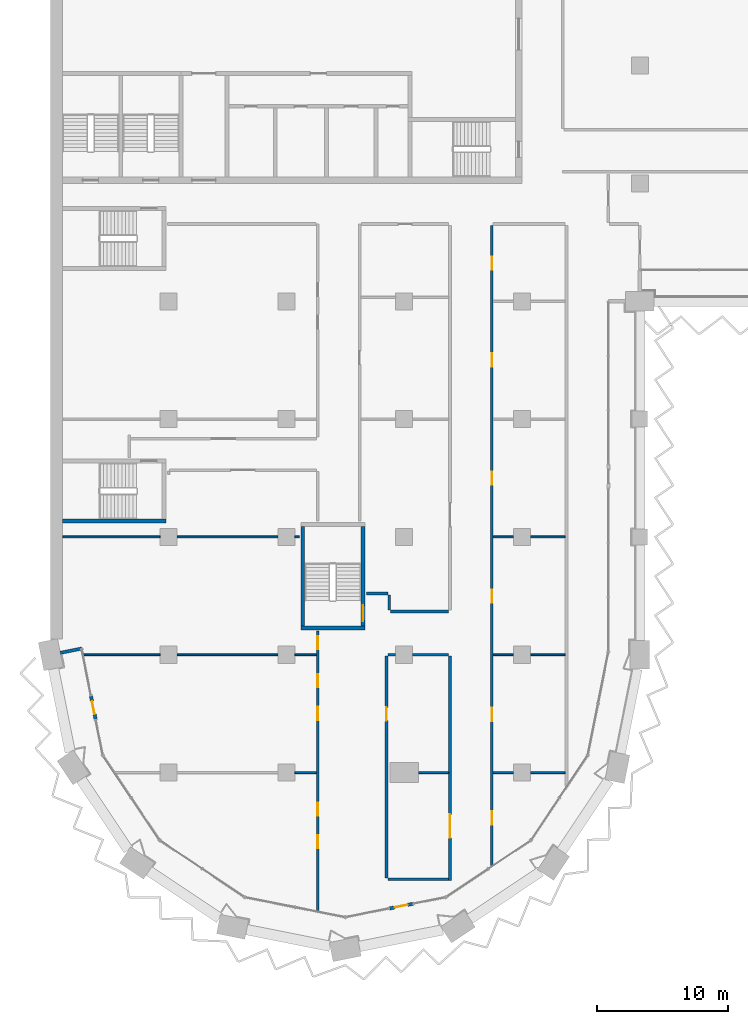
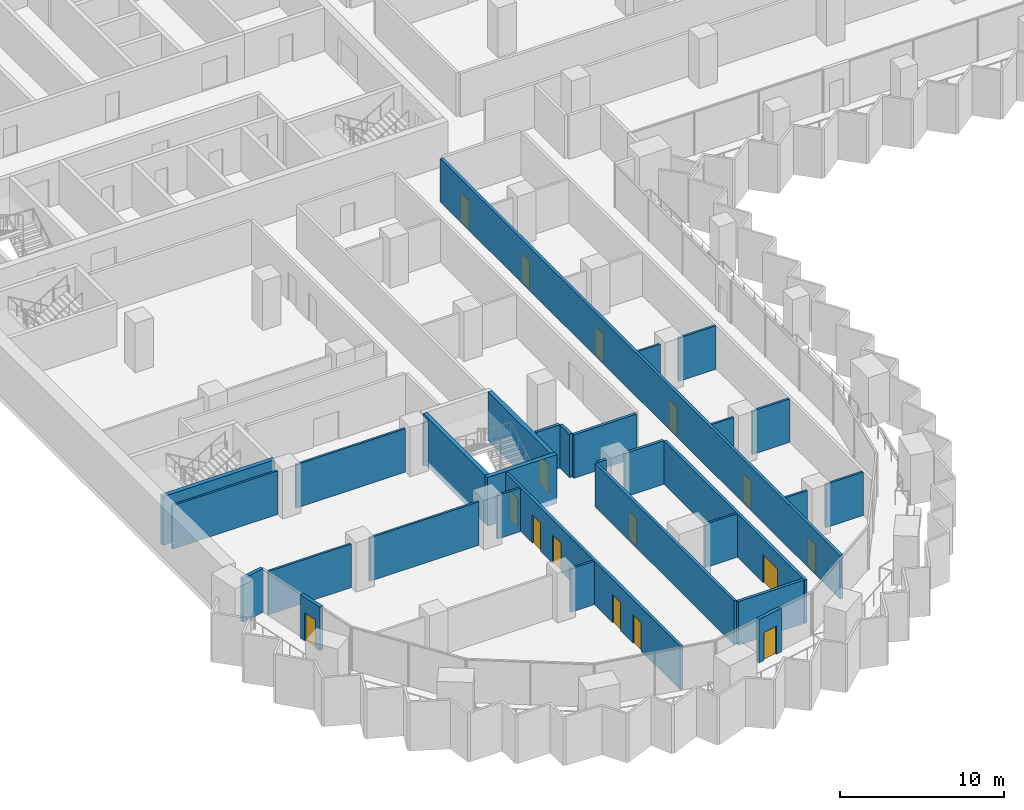
# One storey, part 9 of 23: 31 walls, 16 doors, 16 openings.
"""IFC4 building model written with IfcOpenShell, lengths in metres."""

from ifc_helpers import new_model, si_unit, direction, frame, frame_2d, origin, place, context, subcontext, project, spatial, rectangle, extrude, material, layer, layer_set, type_object, element, fill, save


model = new_model("IFC4")

# Units and contexts
model_context = context("Model", 3, precision=1e-05, world=origin(), true_north=direction((0.0, 1.0)))
body_context = subcontext(model_context, "Body", "Model", "MODEL_VIEW")
ifc_project = project(units=[si_unit("LENGTHUNIT", "METRE"), si_unit("AREAUNIT", "SQUARE_METRE"), si_unit("VOLUMEUNIT", "CUBIC_METRE"), si_unit("PLANEANGLEUNIT", "RADIAN"), si_unit("MASSUNIT", "GRAM", prefix="KILO")], contexts=[model_context])

# Site, building, storey
site_placement = place(None, origin())
site = spatial("IfcSite", under=ifc_project, at=site_placement, CompositionType="ELEMENT")
building_placement = place(site_placement, origin())
building = spatial("IfcBuilding", under=site, at=building_placement, Name="Hunhe Ridgeline Campus", CompositionType="ELEMENT")
storey_placement = place(building_placement, frame((0.0, 0.0, 125.5)))
storey = spatial("IfcBuildingStorey", under=building, at=storey_placement, Name="L31", CompositionType="ELEMENT", Elevation=125.5)

# Walls
ifc_material_1 = material(Name="Concrete C30", Category="concrete")
ifc_layer_1 = layer(ifc_material_1, 0.25)
ifc_layer_set_1 = layer_set([ifc_layer_1], Name="Corner return wall 250 Concrete C30")
wall_type_1 = type_object("IfcWallType", Name="Corner return wall 250 Concrete C30", PredefinedType="SOLIDWALL", material=ifc_layer_set_1)
wall_1_placement = place(storey_placement, frame((0.7353515625, 27.14697265625, 0.0), z_axis=(0.0, 0.0, 1.0), x_axis=(0.980824468215, 0.194893208067, 0.0)))
element("IfcWall", 1, at=wall_1_placement, inside=storey, type_object=wall_type_1, Name="Corner return wall 1", PredefinedType="SOLIDWALL", context=body_context, shape_type="SweptSolid", body=[
    extrude(rectangle(XDim=1.651123046875, YDim=0.25, at=frame_2d((0.82568359375, 0.0))), origin(), (0.0, 0.0, 1.0), 3.25),
])
ifc_material_2 = material(Name="Gypsum board partition")
ifc_layer_2 = layer(ifc_material_2, 0.199951171875)
ifc_layer_set_2 = layer_set([ifc_layer_2], Name="Corridor partition 200 gypsum board on steel studs")
wall_type_2 = type_object("IfcWallType", Name="Corridor partition 200 gypsum board on steel studs", PredefinedType="PARTITIONING", material=ifc_layer_set_2)
wall_2_placement = place(storey_placement, frame((25.75, 9.860107421875, 0.0), z_axis=(0.0, 0.0, 1.0), x_axis=(1.0, 0.0, 0.0)))
element("IfcWall", 2, at=wall_2_placement, inside=storey, type_object=wall_type_2, Name="F-L31-wall-001", PredefinedType="PARTITIONING", context=body_context, shape_type="SweptSolid", body=[
    extrude(rectangle(XDim=4.64990234375, YDim=0.199951171875, at=frame_2d((2.324951171875, 0.0))), origin(), (0.0, 0.0, 1.0), 3.25),
])
wall_3_placement = place(storey_placement, frame((26.35009765625, 27.0, 0.0), z_axis=(0.0, 0.0, 1.0), x_axis=(-1.0, 0.0, 0.0)))
element("IfcWall", 3, at=wall_3_placement, inside=storey, type_object=wall_type_2, Name="F-L31-wall-008", PredefinedType="PARTITIONING", context=body_context, shape_type="SweptSolid", body=[
    extrude(rectangle(XDim=0.60009765625, YDim=0.199951171875, at=frame_2d((0.300048828125, 0.0))), origin(), (0.0, 0.0, 1.0), 3.25),
])
wall_4_placement = place(storey_placement, frame((30.39990234375, 27.0, 0.0), z_axis=(0.0, 0.0, 1.0), x_axis=(-1.0, 0.0, 0.0)))
element("IfcWall", 4, at=wall_4_placement, inside=storey, type_object=wall_type_2, Name="F-L31-wall-009", PredefinedType="PARTITIONING", context=body_context, shape_type="SweptSolid", body=[
    extrude(rectangle(XDim=2.75, YDim=0.199951171875, at=frame_2d((1.375, 0.0))), origin(), (0.0, 0.0, 1.0), 3.25),
])
wall_5_placement = place(storey_placement, frame((25.949951171875, 30.299072265625, 0.0), z_axis=(0.0, 0.0, 1.0), x_axis=(1.0, 0.0, 0.0)))
element("IfcWall", 5, at=wall_5_placement, inside=storey, type_object=wall_type_2, Name="F-L31-wall-015", PredefinedType="PARTITIONING", context=body_context, shape_type="SweptSolid", body=[
    extrude(rectangle(XDim=4.449951171875, YDim=0.199951171875, at=frame_2d((2.22509765625, 0.0))), origin(), (0.0, 0.0, 1.0), 3.25),
])
wall_6_placement = place(storey_placement, frame((24.10400390625, 31.675048828125, 0.0), z_axis=(0.0, 0.0, 1.0), x_axis=(1.0, 0.0, 0.0)))
element("IfcWall", 6, at=wall_6_placement, inside=storey, type_object=wall_type_2, Name="F-L31-wall-016", PredefinedType="PARTITIONING", context=body_context, shape_type="SweptSolid", body=[
    extrude(rectangle(XDim=1.64599609375, YDim=0.199951171875, at=frame_2d((0.822998046875, 0.0))), origin(), (0.0, 0.0, 1.0), 3.25),
])

# Wall, openings, doors
wall_7_placement = place(storey_placement, frame((20.39990234375, 7.4208984375, 0.0), z_axis=(0.0, 0.0, 1.0), x_axis=(0.0, 1.0, 0.0)))
wall_7 = element("IfcWall", 7, at=wall_7_placement, inside=storey, type_object=wall_type_2, Name="F-L31-wall-055", PredefinedType="PARTITIONING", context=body_context, shape_type="SweptSolid", body=[
    extrude(rectangle(XDim=21.375, YDim=0.199951171875, at=frame_2d((10.6875, 0.0))), origin(), (0.0, 0.0, 1.0), 3.25),
])
opening_1_placement = place(wall_7_placement, frame((4.781005859375, 0.0, 0.0)))
opening_1 = element("IfcOpeningElement", 8, at=opening_1_placement, cuts=wall_7, Name="Opening RD1-001", PredefinedType="OPENING", context=body_context, shape_type="SweptSolid", body=[
    extrude(rectangle(XDim=1.0, YDim=2.10009765625, at=frame_2d((0.5, 1.050048828125))), frame((0.0, 0.10009765625, 0.0), z_axis=(0.0, -1.0, 0.0), x_axis=(1.0, 0.0, 0.0)), (0.0, 0.0, 1.0), 0.199951171875),
])
opening_2_placement = place(wall_7_placement, frame((7.281005859375, 0.0, 0.0)))
opening_2 = element("IfcOpeningElement", 9, at=opening_2_placement, cuts=wall_7, Name="Opening RD1-004", PredefinedType="OPENING", context=body_context, shape_type="SweptSolid", body=[
    extrude(rectangle(XDim=1.0, YDim=2.10009765625, at=frame_2d((0.5, 1.050048828125))), frame((0.0, 0.10009765625, 0.0), z_axis=(0.0, -1.0, 0.0), x_axis=(1.0, 0.0, 0.0)), (0.0, 0.0, 1.0), 0.199951171875),
])
opening_3_placement = place(wall_7_placement, frame((14.58837890625, 0.0, 0.0)))
opening_3 = element("IfcOpeningElement", 10, at=opening_3_placement, cuts=wall_7, Name="Opening RD1-006", PredefinedType="OPENING", context=body_context, shape_type="SweptSolid", body=[
    extrude(rectangle(XDim=1.0, YDim=2.10009765625, at=frame_2d((0.5, 1.050048828125))), frame((0.0, 0.10009765625, 0.0), z_axis=(0.0, -1.0, 0.0), x_axis=(1.0, 0.0, 0.0)), (0.0, 0.0, 1.0), 0.199951171875),
])
opening_4_placement = place(wall_7_placement, frame((17.08837890625, 0.0, 0.0)))
opening_4 = element("IfcOpeningElement", 11, at=opening_4_placement, cuts=wall_7, Name="Opening RD1-008", PredefinedType="OPENING", context=body_context, shape_type="SweptSolid", body=[
    extrude(rectangle(XDim=1.0, YDim=2.10009765625, at=frame_2d((0.5, 1.050048828125))), frame((0.0, 0.10009765625, 0.0), z_axis=(0.0, -1.0, 0.0), x_axis=(1.0, 0.0, 0.0)), (0.0, 0.0, 1.0), 0.199951171875),
])
opening_5_placement = place(wall_7_placement, frame((19.9951171875, 0.0, 0.0)))
opening_5 = element("IfcOpeningElement", 12, at=opening_5_placement, cuts=wall_7, Name="Opening RD1-009", PredefinedType="OPENING", context=body_context, shape_type="SweptSolid", body=[
    extrude(rectangle(XDim=1.0, YDim=2.10009765625, at=frame_2d((0.5, 1.050048828125))), frame((0.0, 0.10009765625, 0.0), z_axis=(0.0, -1.0, 0.0), x_axis=(1.0, 0.0, 0.0)), (0.0, 0.0, 1.0), 0.199951171875),
])
ifc_material_3 = material(Name="Timber door leaf", Category="wood")
door_type_1 = type_object("IfcDoorType", Name="Single fire door 1000x2100 timber FD60", OperationType="NOTDEFINED", PredefinedType="DOOR", material=ifc_material_3)
door_1_placement = place(opening_1_placement, frame((1.0, 0.0, 0.0), z_axis=(0.0, 0.0, 1.0), x_axis=(-1.0, 0.0, 0.0)))
door_1 = element("IfcDoor", 13, at=door_1_placement, inside=storey, type_object=door_type_1, Name="F-L31-door-001", OperationType="SINGLE_SWING_LEFT", OverallHeight=2.10009765625, OverallWidth=1.0, PredefinedType="DOOR", context=body_context, shape_type="SweptSolid", body=[
    extrude(rectangle(XDim=1.0, YDim=2.10009765625, at=frame_2d((0.5, 1.050048828125))), frame((0.0, 0.02490234375, 0.0), z_axis=(0.0, -1.0, 0.0), x_axis=(1.0, 0.0, 0.0)), (0.0, 0.0, 1.0), 0.050048828125),
])
fill(opening_1, door_1)
door_2_placement = place(opening_2_placement, frame((1.0, 0.0, 0.0), z_axis=(0.0, 0.0, 1.0), x_axis=(-1.0, 0.0, 0.0)))
door_2 = element("IfcDoor", 14, at=door_2_placement, inside=storey, type_object=door_type_1, Name="F-L31-door-004", OperationType="SINGLE_SWING_LEFT", OverallHeight=2.10009765625, OverallWidth=1.0, PredefinedType="DOOR", context=body_context, shape_type="SweptSolid", body=[
    extrude(rectangle(XDim=1.0, YDim=2.10009765625, at=frame_2d((0.5, 1.050048828125))), frame((0.0, 0.02490234375, 0.0), z_axis=(0.0, -1.0, 0.0), x_axis=(1.0, 0.0, 0.0)), (0.0, 0.0, 1.0), 0.050048828125),
])
fill(opening_2, door_2)
door_3_placement = place(opening_3_placement, frame((1.0, 0.0, 0.0), z_axis=(0.0, 0.0, 1.0), x_axis=(-1.0, 0.0, 0.0)))
door_3 = element("IfcDoor", 15, at=door_3_placement, inside=storey, type_object=door_type_1, Name="F-L31-door-006", OperationType="SINGLE_SWING_RIGHT", OverallHeight=2.10009765625, OverallWidth=1.0, PredefinedType="DOOR", context=body_context, shape_type="SweptSolid", body=[
    extrude(rectangle(XDim=1.0, YDim=2.10009765625, at=frame_2d((0.5, 1.050048828125))), frame((0.0, 0.02490234375, 0.0), z_axis=(0.0, -1.0, 0.0), x_axis=(1.0, 0.0, 0.0)), (0.0, 0.0, 1.0), 0.050048828125),
])
fill(opening_3, door_3)
door_4_placement = place(opening_4_placement, frame((1.0, 0.0, 0.0), z_axis=(0.0, 0.0, 1.0), x_axis=(-1.0, 0.0, 0.0)))
door_4 = element("IfcDoor", 16, at=door_4_placement, inside=storey, type_object=door_type_1, Name="F-L31-door-008", OperationType="SINGLE_SWING_LEFT", OverallHeight=2.10009765625, OverallWidth=1.0, PredefinedType="DOOR", context=body_context, shape_type="SweptSolid", body=[
    extrude(rectangle(XDim=1.0, YDim=2.10009765625, at=frame_2d((0.5, 1.050048828125))), frame((0.0, 0.02490234375, 0.0), z_axis=(0.0, -1.0, 0.0), x_axis=(1.0, 0.0, 0.0)), (0.0, 0.0, 1.0), 0.050048828125),
])
fill(opening_4, door_4)
door_5_placement = place(opening_5_placement, frame((1.0, 0.0, 0.0), z_axis=(0.0, 0.0, 1.0), x_axis=(-1.0, 0.0, 0.0)))
door_5 = element("IfcDoor", 17, at=door_5_placement, inside=storey, type_object=door_type_1, Name="F-L31-door-009", OperationType="SINGLE_SWING_RIGHT", OverallHeight=2.10009765625, OverallWidth=1.0, PredefinedType="DOOR", context=body_context, shape_type="SweptSolid", body=[
    extrude(rectangle(XDim=1.0, YDim=2.10009765625, at=frame_2d((0.5, 1.050048828125))), frame((0.0, 0.02490234375, 0.0), z_axis=(0.0, -1.0, 0.0), x_axis=(1.0, 0.0, 0.0)), (0.0, 0.0, 1.0), 0.050048828125),
])
fill(opening_5, door_5)

# Wall, opening, door
wall_8_placement = place(storey_placement, frame((25.64990234375, 26.89990234375, 0.0), z_axis=(0.0, 0.0, 1.0), x_axis=(0.0, -1.0, 0.0)))
wall_8 = element("IfcWall", 18, at=wall_8_placement, inside=storey, type_object=wall_type_2, Name="F-L31-wall-059", PredefinedType="PARTITIONING", context=body_context, shape_type="SweptSolid", body=[
    extrude(rectangle(XDim=16.93994140625, YDim=0.199951171875, at=frame_2d((8.469970703125, 0.0))), origin(), (0.0, 0.0, 1.0), 3.25),
])
opening_6_placement = place(wall_8_placement, frame((3.924560546875, 0.0, 0.0)))
opening_6 = element("IfcOpeningElement", 19, at=opening_6_placement, cuts=wall_8, Name="Opening RD1-007", PredefinedType="OPENING", context=body_context, shape_type="SweptSolid", body=[
    extrude(rectangle(XDim=1.0, YDim=2.10009765625, at=frame_2d((0.5, 1.050048828125))), frame((0.0, 0.10009765625, 0.0), z_axis=(0.0, -1.0, 0.0), x_axis=(1.0, 0.0, 0.0)), (0.0, 0.0, 1.0), 0.199951171875),
])
door_6_placement = place(opening_6_placement, origin())
door_6 = element("IfcDoor", 20, at=door_6_placement, inside=storey, type_object=door_type_1, Name="F-L31-door-007", OperationType="SINGLE_SWING_LEFT", OverallHeight=2.10009765625, OverallWidth=1.0, PredefinedType="DOOR", context=body_context, shape_type="SweptSolid", body=[
    extrude(rectangle(XDim=1.0, YDim=2.10009765625, at=frame_2d((0.5, 1.050048828125))), frame((0.0, 0.02490234375, 0.0), z_axis=(0.0, -1.0, 0.0), x_axis=(1.0, 0.0, 0.0)), (0.0, 0.0, 1.0), 0.050048828125),
])
fill(opening_6, door_6)

# Wall
wall_9_placement = place(storey_placement, frame((25.85009765625, 31.574951171875, 0.0), z_axis=(0.0, 0.0, 1.0), x_axis=(0.0, -1.0, 0.0)))
element("IfcWall", 21, at=wall_9_placement, inside=storey, type_object=wall_type_2, Name="F-L31-wall-060", PredefinedType="PARTITIONING", context=body_context, shape_type="SweptSolid", body=[
    extrude(rectangle(XDim=1.176025390625, YDim=0.199951171875, at=frame_2d((0.587890625, 0.0))), origin(), (0.0, 0.0, 1.0), 3.25),
])

# Wall, opening, door
wall_10_placement = place(storey_placement, frame((30.5, 9.74365234375, 0.0), z_axis=(0.0, 0.0, 1.0), x_axis=(0.0, 1.0, 0.0)))
wall_10 = element("IfcWall", 22, at=wall_10_placement, inside=storey, type_object=wall_type_2, Name="F-L31-wall-061", PredefinedType="PARTITIONING", context=body_context, shape_type="SweptSolid", body=[
    extrude(rectangle(XDim=17.15625, YDim=0.199951171875, at=frame_2d((8.578125, 0.0))), origin(), (0.0, 0.0, 1.0), 3.25),
])
opening_7_placement = place(wall_10_placement, frame((3.262939453125, 0.0, 0.0)))
opening_7 = element("IfcOpeningElement", 23, at=opening_7_placement, cuts=wall_10, Name="Opening RD2-002", PredefinedType="OPENING", context=body_context, shape_type="SweptSolid", body=[
    extrude(rectangle(XDim=1.800048828125, YDim=2.10009765625, at=frame_2d((0.89990234375, 1.050048828125))), frame((0.0, 0.10009765625, 0.0), z_axis=(0.0, -1.0, 0.0), x_axis=(1.0, 0.0, 0.0)), (0.0, 0.0, 1.0), 0.199951171875),
])
door_type_2 = type_object("IfcDoorType", Name="Double fire door 1800x2100 timber FD60", OperationType="DOUBLE_DOOR_SINGLE_SWING", PredefinedType="DOOR", material=ifc_material_3)
door_7_placement = place(opening_7_placement, origin())
door_7 = element("IfcDoor", 24, at=door_7_placement, inside=storey, type_object=door_type_2, Name="F-L31-door-002", OperationType="DOUBLE_DOOR_SINGLE_SWING", OverallHeight=2.10009765625, OverallWidth=1.800048828125, PredefinedType="DOOR", context=body_context, shape_type="SweptSolid", body=[
    extrude(rectangle(XDim=1.800048828125, YDim=2.10009765625, at=frame_2d((0.89990234375, 1.050048828125))), frame((0.0, 0.02490234375, 0.0), z_axis=(0.0, -1.0, 0.0), x_axis=(1.0, 0.0, 0.0)), (0.0, 0.0, 1.0), 0.050048828125),
])
fill(opening_7, door_7)

# Wall, openings, doors
wall_11_placement = place(storey_placement, frame((33.699951171875, 59.800048828125, 0.0), z_axis=(0.0, 0.0, 1.0), x_axis=(0.0, -1.0, 0.0)))
wall_11 = element("IfcWall", 25, at=wall_11_placement, inside=storey, type_object=wall_type_2, Name="F-L31-wall-063", PredefinedType="PARTITIONING", context=body_context, shape_type="SweptSolid", body=[
    extrude(rectangle(XDim=48.904296875, YDim=0.199951171875, at=frame_2d((24.4521484375, 0.0))), origin(), (0.0, 0.0, 1.0), 3.25),
])
opening_8_placement = place(wall_11_placement, frame((44.767822265625, 0.0, 0.0)))
opening_8 = element("IfcOpeningElement", 26, at=opening_8_placement, cuts=wall_11, Name="Opening RD1-003", PredefinedType="OPENING", context=body_context, shape_type="SweptSolid", body=[
    extrude(rectangle(XDim=1.0, YDim=2.10009765625, at=frame_2d((0.5, 1.050048828125))), frame((0.0, 0.10009765625, 0.0), z_axis=(0.0, -1.0, 0.0), x_axis=(1.0, 0.0, 0.0)), (0.0, 0.0, 1.0), 0.199951171875),
])
opening_9_placement = place(wall_11_placement, frame((36.867919921875, 0.0, 0.0)))
opening_9 = element("IfcOpeningElement", 27, at=opening_9_placement, cuts=wall_11, Name="Opening RD1-005", PredefinedType="OPENING", context=body_context, shape_type="SweptSolid", body=[
    extrude(rectangle(XDim=1.0, YDim=2.10009765625, at=frame_2d((0.5, 1.050048828125))), frame((0.0, 0.10009765625, 0.0), z_axis=(0.0, -1.0, 0.0), x_axis=(1.0, 0.0, 0.0)), (0.0, 0.0, 1.0), 0.199951171875),
])
opening_10_placement = place(wall_11_placement, frame((27.83935546875, 0.0, 0.0)))
opening_10 = element("IfcOpeningElement", 28, at=opening_10_placement, cuts=wall_11, Name="Opening RD1-010", PredefinedType="OPENING", context=body_context, shape_type="SweptSolid", body=[
    extrude(rectangle(XDim=1.0, YDim=2.10009765625, at=frame_2d((0.5, 1.050048828125))), frame((0.0, 0.10009765625, 0.0), z_axis=(0.0, -1.0, 0.0), x_axis=(1.0, 0.0, 0.0)), (0.0, 0.0, 1.0), 0.199951171875),
])
opening_11_placement = place(wall_11_placement, frame((18.81103515625, 0.0, 0.0)))
opening_11 = element("IfcOpeningElement", 29, at=opening_11_placement, cuts=wall_11, Name="Opening RD1-012", PredefinedType="OPENING", context=body_context, shape_type="SweptSolid", body=[
    extrude(rectangle(XDim=1.0, YDim=2.10009765625, at=frame_2d((0.5, 1.050048828125))), frame((0.0, 0.10009765625, 0.0), z_axis=(0.0, -1.0, 0.0), x_axis=(1.0, 0.0, 0.0)), (0.0, 0.0, 1.0), 0.199951171875),
])
opening_12_placement = place(wall_11_placement, frame((9.782470703125, 0.0, 0.0)))
opening_12 = element("IfcOpeningElement", 30, at=opening_12_placement, cuts=wall_11, Name="Opening RD1-015", PredefinedType="OPENING", context=body_context, shape_type="SweptSolid", body=[
    extrude(rectangle(XDim=1.0, YDim=2.10009765625, at=frame_2d((0.5, 1.050048828125))), frame((0.0, 0.10009765625, 0.0), z_axis=(0.0, -1.0, 0.0), x_axis=(1.0, 0.0, 0.0)), (0.0, 0.0, 1.0), 0.199951171875),
])
opening_13_placement = place(wall_11_placement, frame((2.384033203125, 0.0, 0.0)))
opening_13 = element("IfcOpeningElement", 31, at=opening_13_placement, cuts=wall_11, Name="Opening RD1-019", PredefinedType="OPENING", context=body_context, shape_type="SweptSolid", body=[
    extrude(rectangle(XDim=1.0, YDim=2.10009765625, at=frame_2d((0.5, 1.050048828125))), frame((0.0, 0.10009765625, 0.0), z_axis=(0.0, -1.0, 0.0), x_axis=(1.0, 0.0, 0.0)), (0.0, 0.0, 1.0), 0.199951171875),
])
door_8_placement = place(opening_8_placement, origin())
door_8 = element("IfcDoor", 32, at=door_8_placement, inside=storey, type_object=door_type_1, Name="F-L31-door-003", OperationType="SINGLE_SWING_LEFT", OverallHeight=2.10009765625, OverallWidth=1.0, PredefinedType="DOOR", context=body_context, shape_type="SweptSolid", body=[
    extrude(rectangle(XDim=1.0, YDim=2.10009765625, at=frame_2d((0.5, 1.050048828125))), frame((0.0, 0.02490234375, 0.0), z_axis=(0.0, -1.0, 0.0), x_axis=(1.0, 0.0, 0.0)), (0.0, 0.0, 1.0), 0.050048828125),
])
fill(opening_8, door_8)
door_9_placement = place(opening_9_placement, origin())
door_9 = element("IfcDoor", 33, at=door_9_placement, inside=storey, type_object=door_type_1, Name="F-L31-door-005", OperationType="SINGLE_SWING_LEFT", OverallHeight=2.10009765625, OverallWidth=1.0, PredefinedType="DOOR", context=body_context, shape_type="SweptSolid", body=[
    extrude(rectangle(XDim=1.0, YDim=2.10009765625, at=frame_2d((0.5, 1.050048828125))), frame((0.0, 0.02490234375, 0.0), z_axis=(0.0, -1.0, 0.0), x_axis=(1.0, 0.0, 0.0)), (0.0, 0.0, 1.0), 0.050048828125),
])
fill(opening_9, door_9)
door_10_placement = place(opening_10_placement, origin())
door_10 = element("IfcDoor", 34, at=door_10_placement, inside=storey, type_object=door_type_1, Name="F-L31-door-010", OperationType="SINGLE_SWING_LEFT", OverallHeight=2.10009765625, OverallWidth=1.0, PredefinedType="DOOR", context=body_context, shape_type="SweptSolid", body=[
    extrude(rectangle(XDim=1.0, YDim=2.10009765625, at=frame_2d((0.5, 1.050048828125))), frame((0.0, 0.02490234375, 0.0), z_axis=(0.0, -1.0, 0.0), x_axis=(1.0, 0.0, 0.0)), (0.0, 0.0, 1.0), 0.050048828125),
])
fill(opening_10, door_10)
door_11_placement = place(opening_11_placement, origin())
door_11 = element("IfcDoor", 35, at=door_11_placement, inside=storey, type_object=door_type_1, Name="F-L31-door-012", OperationType="SINGLE_SWING_LEFT", OverallHeight=2.10009765625, OverallWidth=1.0, PredefinedType="DOOR", context=body_context, shape_type="SweptSolid", body=[
    extrude(rectangle(XDim=1.0, YDim=2.10009765625, at=frame_2d((0.5, 1.050048828125))), frame((0.0, 0.02490234375, 0.0), z_axis=(0.0, -1.0, 0.0), x_axis=(1.0, 0.0, 0.0)), (0.0, 0.0, 1.0), 0.050048828125),
])
fill(opening_11, door_11)
door_12_placement = place(opening_12_placement, origin())
door_12 = element("IfcDoor", 36, at=door_12_placement, inside=storey, type_object=door_type_1, Name="F-L31-door-015", OperationType="SINGLE_SWING_LEFT", OverallHeight=2.10009765625, OverallWidth=1.0, PredefinedType="DOOR", context=body_context, shape_type="SweptSolid", body=[
    extrude(rectangle(XDim=1.0, YDim=2.10009765625, at=frame_2d((0.5, 1.050048828125))), frame((0.0, 0.02490234375, 0.0), z_axis=(0.0, -1.0, 0.0), x_axis=(1.0, 0.0, 0.0)), (0.0, 0.0, 1.0), 0.050048828125),
])
fill(opening_12, door_12)
door_13_placement = place(opening_13_placement, origin())
door_13 = element("IfcDoor", 37, at=door_13_placement, inside=storey, type_object=door_type_1, Name="F-L31-door-019", OperationType="SINGLE_SWING_LEFT", OverallHeight=2.10009765625, OverallWidth=1.0, PredefinedType="DOOR", context=body_context, shape_type="SweptSolid", body=[
    extrude(rectangle(XDim=1.0, YDim=2.10009765625, at=frame_2d((0.5, 1.050048828125))), frame((0.0, 0.02490234375, 0.0), z_axis=(0.0, -1.0, 0.0), x_axis=(1.0, 0.0, 0.0)), (0.0, 0.0, 1.0), 0.050048828125),
])
fill(opening_13, door_13)

# Wall, opening, door
ifc_layer_3 = layer(ifc_material_1, 0.25)
ifc_layer_set_3 = layer_set([ifc_layer_3], Name="Loggia door pier wall 250 Concrete C30")
wall_type_3 = type_object("IfcWallType", Name="Loggia door pier wall 250 Concrete C30", PredefinedType="SOLIDWALL", material=ifc_layer_set_3)
wall_12_placement = place(storey_placement, frame((3.076904296875, 23.8388671875, 0.0), z_axis=(0.0, 0.0, 1.0), x_axis=(0.195046569833, -0.980793982239, 0.0)))
wall_12 = element("IfcWall", 38, at=wall_12_placement, inside=storey, type_object=wall_type_3, Name="Loggia door pier 1", PredefinedType="SOLIDWALL", context=body_context, shape_type="SweptSolid", body=[
    extrude(rectangle(XDim=1.800048828125, YDim=0.25, at=frame_2d((0.89990234375, 0.0))), origin(), (0.0, 0.0, 1.0), 3.25),
])
opening_14_placement = place(wall_12_placement, frame((0.39990234375, 0.0, 0.0)))
opening_14 = element("IfcOpeningElement", 39, at=opening_14_placement, cuts=wall_12, Name="Opening BD201", PredefinedType="OPENING", context=body_context, shape_type="SweptSolid", body=[
    extrude(rectangle(XDim=1.0, YDim=2.10009765625, at=frame_2d((0.5, 1.050048828125))), frame((0.0, 0.125, 0.0), z_axis=(0.0, -1.0, 0.0), x_axis=(1.0, 0.0, 0.0)), (0.0, 0.0, 1.0), 0.25),
])
ifc_material_4 = material(Name="Aluminium 6063", Category="aluminium")
door_type_3 = type_object("IfcDoorType", Name="Loggia glazed door 1000x2100", OperationType="NOTDEFINED", PredefinedType="DOOR", material=ifc_material_4)
door_14_placement = place(opening_14_placement, frame((1.0, 0.0, 0.0), z_axis=(0.0, 0.0, 1.0), x_axis=(-1.0, 0.0, 0.0)))
door_14 = element("IfcDoor", 40, at=door_14_placement, inside=storey, type_object=door_type_3, Name="Loggia door BD201", OperationType="SINGLE_SWING_RIGHT", OverallHeight=2.10009765625, OverallWidth=1.0, PredefinedType="DOOR", context=body_context, shape_type="SweptSolid", body=[
    extrude(rectangle(XDim=1.0, YDim=2.10009765625, at=frame_2d((0.5, 1.050048828125))), frame((0.0, 0.02490234375, 0.0), z_axis=(0.0, -1.0, 0.0), x_axis=(1.0, 0.0, 0.0)), (0.0, 0.0, 1.0), 0.050048828125),
])
fill(opening_14, door_14)

wall_13_placement = place(storey_placement, frame((25.8955078125, 7.62353515625, 0.0), z_axis=(0.0, 0.0, 1.0), x_axis=(0.980793982239, 0.195046569833, 0.0)))
wall_13 = element("IfcWall", 41, at=wall_13_placement, inside=storey, type_object=wall_type_3, Name="Loggia door pier 2", PredefinedType="SOLIDWALL", context=body_context, shape_type="SweptSolid", body=[
    extrude(rectangle(XDim=1.800048828125, YDim=0.25, at=frame_2d((0.89990234375, 0.0))), origin(), (0.0, 0.0, 1.0), 3.25),
])
opening_15_placement = place(wall_13_placement, frame((0.39990234375, 0.0, 0.0)))
opening_15 = element("IfcOpeningElement", 42, at=opening_15_placement, cuts=wall_13, Name="Opening BD203", PredefinedType="OPENING", context=body_context, shape_type="SweptSolid", body=[
    extrude(rectangle(XDim=1.0, YDim=2.10009765625, at=frame_2d((0.5, 1.050048828125))), frame((0.0, 0.125, 0.0), z_axis=(0.0, -1.0, 0.0), x_axis=(1.0, 0.0, 0.0)), (0.0, 0.0, 1.0), 0.25),
])
door_15_placement = place(opening_15_placement, frame((1.0, 0.0, 0.0), z_axis=(0.0, 0.0, 1.0), x_axis=(-1.0, 0.0, 0.0)))
door_15 = element("IfcDoor", 43, at=door_15_placement, inside=storey, type_object=door_type_3, Name="Loggia door BD203", OperationType="SINGLE_SWING_RIGHT", OverallHeight=2.10009765625, OverallWidth=1.0, PredefinedType="DOOR", context=body_context, shape_type="SweptSolid", body=[
    extrude(rectangle(XDim=1.0, YDim=2.10009765625, at=frame_2d((0.5, 1.050048828125))), frame((0.0, 0.02490234375, 0.0), z_axis=(0.0, -1.0, 0.0), x_axis=(1.0, 0.0, 0.0)), (0.0, 0.0, 1.0), 0.050048828125),
])
fill(opening_15, door_15)

# Walls
ifc_layer_4 = layer(ifc_material_2, 0.14990234375)
ifc_layer_set_4 = layer_set([ifc_layer_4], Name="Room partition 150 gypsum board on steel studs")
wall_type_4 = type_object("IfcWallType", Name="Room partition 150 gypsum board on steel studs", PredefinedType="PARTITIONING", material=ifc_layer_set_4)
wall_14_placement = place(storey_placement, frame((18.64990234375, 18.0, 0.0), z_axis=(0.0, 0.0, 1.0), x_axis=(1.0, 0.0, 0.0)))
element("IfcWall", 44, at=wall_14_placement, inside=storey, type_object=wall_type_4, Name="F-L31-wall-004", PredefinedType="PARTITIONING", context=body_context, shape_type="SweptSolid", body=[
    extrude(rectangle(XDim=1.650146484375, YDim=0.14990234375, at=frame_2d((0.8251953125, 0.0))), origin(), (0.0, 0.0, 1.0), 3.25),
])
wall_15_placement = place(storey_placement, frame((28.10009765625, 18.0, 0.0), z_axis=(0.0, 0.0, 1.0), x_axis=(1.0, 0.0, 0.0)))
element("IfcWall", 45, at=wall_15_placement, inside=storey, type_object=wall_type_4, Name="F-L31-wall-005", PredefinedType="PARTITIONING", context=body_context, shape_type="SweptSolid", body=[
    extrude(rectangle(XDim=2.2998046875, YDim=0.14990234375, at=frame_2d((1.14990234375, 0.0))), origin(), (0.0, 0.0, 1.0), 3.25),
])
wall_16_placement = place(storey_placement, frame((33.800048828125, 18.0, 0.0), z_axis=(0.0, 0.0, 1.0), x_axis=(1.0, 0.0, 0.0)))
element("IfcWall", 46, at=wall_16_placement, inside=storey, type_object=wall_type_4, Name="F-L31-wall-006", PredefinedType="PARTITIONING", context=body_context, shape_type="SweptSolid", body=[
    extrude(rectangle(XDim=1.550048828125, YDim=0.14990234375, at=frame_2d((0.77490234375, 0.0))), origin(), (0.0, 0.0, 1.0), 3.25),
])
wall_17_placement = place(storey_placement, frame((36.64990234375, 18.0, 0.0), z_axis=(0.0, 0.0, 1.0), x_axis=(1.0, 0.0, 0.0)))
element("IfcWall", 47, at=wall_17_placement, inside=storey, type_object=wall_type_4, Name="F-L31-wall-007", PredefinedType="PARTITIONING", context=body_context, shape_type="SweptSolid", body=[
    extrude(rectangle(XDim=2.650146484375, YDim=0.14990234375, at=frame_2d((1.3251953125, 0.0))), origin(), (0.0, 0.0, 1.0), 3.25),
])
wall_18_placement = place(storey_placement, frame((2.503173828125, 27.0, 0.0), z_axis=(0.0, 0.0, 1.0), x_axis=(1.0, 0.0, 0.0)))
element("IfcWall", 48, at=wall_18_placement, inside=storey, type_object=wall_type_4, Name="F-L31-wall-010", PredefinedType="PARTITIONING", context=body_context, shape_type="SweptSolid", body=[
    extrude(rectangle(XDim=5.846923828125, YDim=0.14990234375, at=frame_2d((2.92333984375, 0.0))), origin(), (0.0, 0.0, 1.0), 3.25),
])
wall_19_placement = place(storey_placement, frame((9.64990234375, 27.0, 0.0), z_axis=(0.0, 0.0, 1.0), x_axis=(1.0, 0.0, 0.0)))
element("IfcWall", 49, at=wall_19_placement, inside=storey, type_object=wall_type_4, Name="F-L31-wall-011", PredefinedType="PARTITIONING", context=body_context, shape_type="SweptSolid", body=[
    extrude(rectangle(XDim=7.7001953125, YDim=0.14990234375, at=frame_2d((3.85009765625, 0.0))), origin(), (0.0, 0.0, 1.0), 3.25),
])
wall_20_placement = place(storey_placement, frame((18.64990234375, 27.0, 0.0), z_axis=(0.0, 0.0, 1.0), x_axis=(1.0, 0.0, 0.0)))
element("IfcWall", 50, at=wall_20_placement, inside=storey, type_object=wall_type_4, Name="F-L31-wall-012", PredefinedType="PARTITIONING", context=body_context, shape_type="SweptSolid", body=[
    extrude(rectangle(XDim=1.650146484375, YDim=0.14990234375, at=frame_2d((0.8251953125, 0.0))), origin(), (0.0, 0.0, 1.0), 3.25),
])
wall_21_placement = place(storey_placement, frame((33.800048828125, 27.0, 0.0), z_axis=(0.0, 0.0, 1.0), x_axis=(1.0, 0.0, 0.0)))
element("IfcWall", 51, at=wall_21_placement, inside=storey, type_object=wall_type_4, Name="F-L31-wall-013", PredefinedType="PARTITIONING", context=body_context, shape_type="SweptSolid", body=[
    extrude(rectangle(XDim=1.550048828125, YDim=0.14990234375, at=frame_2d((0.77490234375, 0.0))), origin(), (0.0, 0.0, 1.0), 3.25),
])
wall_22_placement = place(storey_placement, frame((36.64990234375, 27.0, 0.0), z_axis=(0.0, 0.0, 1.0), x_axis=(1.0, 0.0, 0.0)))
element("IfcWall", 52, at=wall_22_placement, inside=storey, type_object=wall_type_4, Name="F-L31-wall-014", PredefinedType="PARTITIONING", context=body_context, shape_type="SweptSolid", body=[
    extrude(rectangle(XDim=2.650146484375, YDim=0.14990234375, at=frame_2d((1.3251953125, 0.0))), origin(), (0.0, 0.0, 1.0), 3.25),
])
wall_23_placement = place(storey_placement, frame((0.919921875, 36.0, 0.0), z_axis=(0.0, 0.0, 1.0), x_axis=(1.0, 0.0, 0.0)))
element("IfcWall", 53, at=wall_23_placement, inside=storey, type_object=wall_type_4, Name="F-L31-wall-017", PredefinedType="PARTITIONING", context=body_context, shape_type="SweptSolid", body=[
    extrude(rectangle(XDim=7.43017578125, YDim=0.14990234375, at=frame_2d((3.715087890625, 0.0))), origin(), (0.0, 0.0, 1.0), 3.25),
])
wall_24_placement = place(storey_placement, frame((9.64990234375, 36.0, 0.0), z_axis=(0.0, 0.0, 1.0), x_axis=(1.0, 0.0, 0.0)))
element("IfcWall", 54, at=wall_24_placement, inside=storey, type_object=wall_type_4, Name="F-L31-wall-018", PredefinedType="PARTITIONING", context=body_context, shape_type="SweptSolid", body=[
    extrude(rectangle(XDim=7.7001953125, YDim=0.14990234375, at=frame_2d((3.85009765625, 0.0))), origin(), (0.0, 0.0, 1.0), 3.25),
])
wall_25_placement = place(storey_placement, frame((18.64990234375, 36.0, 0.0), z_axis=(0.0, 0.0, 1.0), x_axis=(1.0, 0.0, 0.0)))
element("IfcWall", 55, at=wall_25_placement, inside=storey, type_object=wall_type_4, Name="F-L31-wall-019", PredefinedType="PARTITIONING", context=body_context, shape_type="SweptSolid", body=[
    extrude(rectangle(XDim=0.34619140625, YDim=0.14990234375, at=frame_2d((0.173095703125, 0.0))), origin(), (0.0, 0.0, 1.0), 3.25),
])
wall_26_placement = place(storey_placement, frame((33.800048828125, 36.0, 0.0), z_axis=(0.0, 0.0, 1.0), x_axis=(1.0, 0.0, 0.0)))
element("IfcWall", 56, at=wall_26_placement, inside=storey, type_object=wall_type_4, Name="F-L31-wall-020", PredefinedType="PARTITIONING", context=body_context, shape_type="SweptSolid", body=[
    extrude(rectangle(XDim=1.550048828125, YDim=0.14990234375, at=frame_2d((0.77490234375, 0.0))), origin(), (0.0, 0.0, 1.0), 3.25),
])
wall_27_placement = place(storey_placement, frame((36.64990234375, 36.0, 0.0), z_axis=(0.0, 0.0, 1.0), x_axis=(1.0, 0.0, 0.0)))
element("IfcWall", 57, at=wall_27_placement, inside=storey, type_object=wall_type_4, Name="F-L31-wall-021", PredefinedType="PARTITIONING", context=body_context, shape_type="SweptSolid", body=[
    extrude(rectangle(XDim=2.650146484375, YDim=0.14990234375, at=frame_2d((1.3251953125, 0.0))), origin(), (0.0, 0.0, 1.0), 3.25),
])
ifc_material_5 = material(Name="Concrete C80", Category="concrete")
ifc_layer_5 = layer(ifc_material_5, 0.300048828125)
ifc_layer_set_5 = layer_set([ifc_layer_5], Name="Stair wall 300 reinforced concrete C80")
wall_type_5 = type_object("IfcWallType", Name="Stair wall 300 reinforced concrete C80", PredefinedType="SOLIDWALL", material=ifc_layer_set_5)
wall_28_placement = place(storey_placement, frame((19.10009765625, 29.050048828125, -0.39990234375), z_axis=(0.0, 0.0, 1.0), x_axis=(1.0, 0.0, 0.0)))
element("IfcWall", 58, at=wall_28_placement, inside=storey, type_object=wall_type_5, Name="L31 core wall 1", PredefinedType="SOLIDWALL", context=body_context, shape_type="SweptSolid", body=[
    extrude(rectangle(XDim=4.89990234375, YDim=0.300048828125, at=frame_2d((2.449951171875, 0.0))), origin(), (0.0, 0.0, 1.0), 3.64990234375),
])
wall_29_placement = place(storey_placement, frame((0.89990234375, 37.199951171875, -0.39990234375), z_axis=(0.0, 0.0, 1.0), x_axis=(1.0, 0.0, 0.0)))
element("IfcWall", 59, at=wall_29_placement, inside=storey, type_object=wall_type_5, Name="L31 core wall 3", PredefinedType="SOLIDWALL", context=body_context, shape_type="SweptSolid", body=[
    extrude(rectangle(XDim=7.900146484375, YDim=0.300048828125, at=frame_2d((3.9501953125, 0.0))), origin(), (0.0, 0.0, 1.0), 3.64990234375),
])
wall_30_placement = place(storey_placement, frame((19.25, 29.199951171875, -0.39990234375), z_axis=(0.0, 0.0, 1.0), x_axis=(0.0, 1.0, 0.0)))
element("IfcWall", 60, at=wall_30_placement, inside=storey, type_object=wall_type_5, Name="L31 core wall 47", PredefinedType="SOLIDWALL", context=body_context, shape_type="SweptSolid", body=[
    extrude(rectangle(XDim=7.60009765625, YDim=0.300048828125, at=frame_2d((3.800048828125, 0.0))), origin(), (0.0, 0.0, 1.0), 3.64990234375),
])

# Wall, opening, door
wall_31_placement = place(storey_placement, frame((23.85009765625, 29.199951171875, -0.39990234375), z_axis=(0.0, 0.0, 1.0), x_axis=(0.0, 1.0, 0.0)))
wall_31 = element("IfcWall", 61, at=wall_31_placement, inside=storey, type_object=wall_type_5, Name="L31 core wall 52", PredefinedType="SOLIDWALL", context=body_context, shape_type="SweptSolid", body=[
    extrude(rectangle(XDim=7.60009765625, YDim=0.300048828125, at=frame_2d((3.800048828125, 0.0))), origin(), (0.0, 0.0, 1.0), 3.64990234375),
])
opening_16_placement = place(wall_31_placement, frame((0.375, 0.0, 0.39990234375)))
opening_16 = element("IfcOpeningElement", 62, at=opening_16_placement, cuts=wall_31, Name="Opening CD23", PredefinedType="OPENING", context=body_context, shape_type="SweptSolid", body=[
    extrude(rectangle(XDim=1.199951171875, YDim=2.10009765625, at=frame_2d((0.60009765625, 1.050048828125))), frame((0.0, 0.14990234375, 0.0), z_axis=(0.0, -1.0, 0.0), x_axis=(1.0, 0.0, 0.0)), (0.0, 0.0, 1.0), 0.300048828125),
])
ifc_material_6 = material(Name="Hollow metal fire door leaf")
door_type_4 = type_object("IfcDoorType", Name="Stair door 1200x2100 FD60", OperationType="SINGLE_SWING_LEFT", PredefinedType="DOOR", material=ifc_material_6)
door_16_placement = place(opening_16_placement, frame((1.199951171875, 0.0, 0.0), z_axis=(0.0, 0.0, 1.0), x_axis=(-1.0, 0.0, 0.0)))
door_16 = element("IfcDoor", 63, at=door_16_placement, inside=storey, type_object=door_type_4, Name="L31 door W3", OperationType="SINGLE_SWING_LEFT", OverallHeight=2.10009765625, OverallWidth=1.199951171875, PredefinedType="DOOR", context=body_context, shape_type="SweptSolid", body=[
    extrude(rectangle(XDim=1.199951171875, YDim=2.10009765625, at=frame_2d((0.60009765625, 1.050048828125))), frame((0.0, 0.02490234375, 0.0), z_axis=(0.0, -1.0, 0.0), x_axis=(1.0, 0.0, 0.0)), (0.0, 0.0, 1.0), 0.050048828125),
])
fill(opening_16, door_16)

save(model, "model.ifc")
